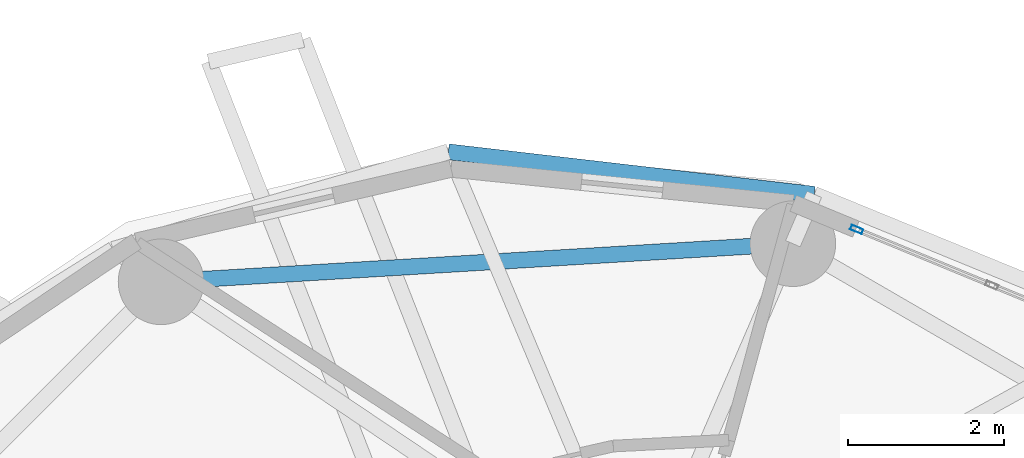
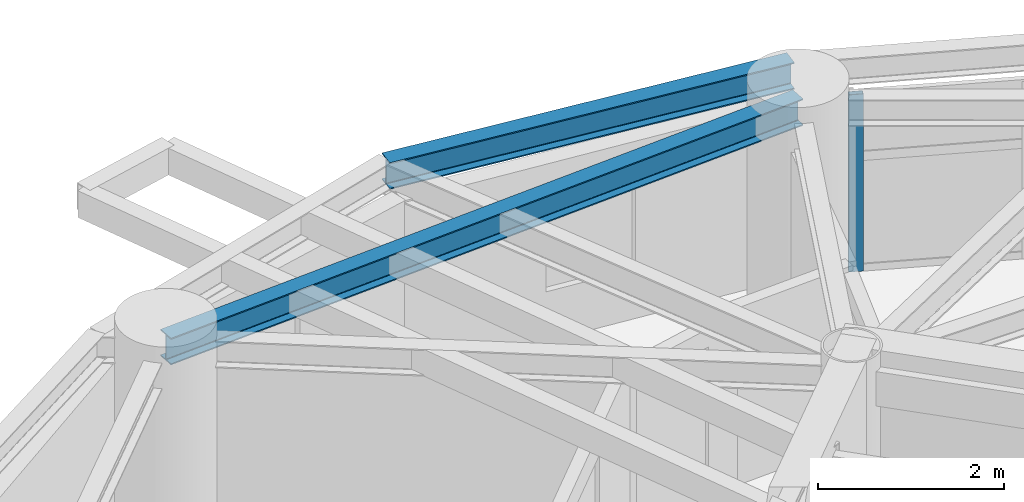
# One storey, part 5 of 16: 2 beams, 1 member, 1 element without a shape of its own.
"""IFC4 building model written with IfcOpenShell, lengths in metres."""

from ifc_helpers import new_model, si_unit, direction, frame, origin, origin_2d, place, context, subcontext, project, spatial, hollow_rectangle, i_section, extrude, material, layer, layer_set, material_profile, profile_set, type_object, element, aggregate, save


model = new_model("IFC4")

# Units and contexts
model_context = context("Model", 3, precision=1e-05, world=origin(), true_north=direction((0.0, 1.0)))
body_context = subcontext(model_context, "Body", "Model", "MODEL_VIEW")
ifc_project = project(units=[si_unit("LENGTHUNIT", "METRE"), si_unit("AREAUNIT", "SQUARE_METRE"), si_unit("VOLUMEUNIT", "CUBIC_METRE"), si_unit("PLANEANGLEUNIT", "RADIAN"), si_unit("MASSUNIT", "GRAM", prefix="KILO")], contexts=[model_context])

# Site, building, storey
site_placement = place(None, origin())
site = spatial("IfcSite", under=ifc_project, at=site_placement, CompositionType="ELEMENT")
building_placement = place(site_placement, origin())
building = spatial("IfcBuilding", under=site, at=building_placement, Name="Cununo Teusaquillo Station Towers", CompositionType="ELEMENT")
storey_placement = place(building_placement, frame((0.0, 0.0, 211.2099609375)))
storey = spatial("IfcBuildingStorey", under=building, at=storey_placement, Name="L67", CompositionType="ELEMENT", Elevation=211.2099609375)

# Beams
ifc_material_1 = material(Name="Steel ASTM A572 Grade 50", Category="steel")
ifc_material_profile_1 = material_profile(ifc_material_1, i_section(OverallWidth=0.2041015625, OverallDepth=0.35009765625, WebThickness=0.008544921875, FlangeThickness=0.01513671875, FilletRadius=0.011962890625, at=origin_2d()), Name="W14X48")
ifc_profile_set_1 = profile_set([ifc_material_profile_1], Name="Steel ASTM A572 Grade 50")
beam_type = type_object("IfcBeamType", Name="BM-RING-Z4", PredefinedType="SPANDREL", material=ifc_profile_set_1)
beam_1_placement = place(storey_placement, frame((58.291015625, 37.63525390625, 2.525146484375), z_axis=(-0.998190567048, -0.06012979176, 0.0), x_axis=(0.06012979176, -0.998190567048, 0.0)))
element("IfcBeam", 1, at=beam_1_placement, inside=storey, type_object=beam_type, Name="L67 Tower B Structural Column Ring Girder 02", PredefinedType="SPANDREL", context=body_context, shape_type="SweptSolid", body=[
    extrude(i_section(OverallWidth=0.2041015625, OverallDepth=0.35009765625, WebThickness=0.008544921875, FlangeThickness=0.01513671875, FilletRadius=0.011962890625, at=origin_2d()), origin(), (0.0, 0.0, 1.0), 8.132568359375),
])
beam_2_placement = place(storey_placement, frame((58.56591796875, 38.27001953125, 2.525146484375), z_axis=(-0.993313022334, 0.115452326356, 0.0), x_axis=(-0.115452326356, -0.993313022334, 0.0)))
element("IfcBeam", 2, at=beam_2_placement, inside=storey, type_object=beam_type, Name="L67 Tower B Spandrel Ring Beam 03", PredefinedType="SPANDREL", context=body_context, shape_type="SweptSolid", body=[
    extrude(i_section(OverallWidth=0.2041015625, OverallDepth=0.35009765625, WebThickness=0.008544921875, FlangeThickness=0.01513671875, FilletRadius=0.011962890625, at=origin_2d()), origin(), (0.0, 0.0, 1.0), 4.732666015625),
])

# Curtain wall, member
ifc_material_2 = material(Name="Ceramic-fritted dark low-E double glazing", Category="glass")
ifc_layer = layer(ifc_material_2, 0.179931640625)
ifc_layer_set = layer_set([ifc_layer], Name="Ceramic-fritted dark low-E double glazing")
curtain_wall_type = type_object("IfcCurtainWallType", Name="CW-SYS-07", PredefinedType="USERDEFINED", material=ifc_layer_set)
curtain_wall_placement = place(storey_placement, origin())
curtain_wall = element("IfcCurtainWall", 3, at=curtain_wall_placement, inside=storey, type_object=curtain_wall_type, Name="L67 Tower B Facade Curtain Wall C01", ObjectType="FRITTED GLAZING", PredefinedType="USERDEFINED")
ifc_material_3 = material(Name="Anodised dark bronze aluminium EN AW-6063-T6", Category="aluminium")
ifc_material_profile_2 = material_profile(ifc_material_3, hollow_rectangle(XDim=0.06494140625, YDim=0.159912109375, WallThickness=0.00390625, at=origin_2d()), Name="CW-MULL-65x160")
ifc_profile_set_2 = profile_set([ifc_material_profile_2], Name="Anodised dark bronze aluminium EN AW-6063-T6")
member_type = type_object("IfcMemberType", Name="CWM-160", PredefinedType="MULLION", material=ifc_profile_set_2)
member_placement = place(storey_placement, frame((59.111328125, 37.818359375, 0.0), z_axis=(0.0, 0.0, 1.0), x_axis=(0.381310513086, 0.924447019904, 0.0)))
member = element("IfcMember", 4, at=member_placement, type_object=member_type, Name="CW-07 mullion 1", PredefinedType="MULLION", context=body_context, shape_type="SweptSolid", body=[
    extrude(hollow_rectangle(XDim=0.06494140625, YDim=0.159912109375, WallThickness=0.00390625, at=origin_2d()), origin(), (0.0, 0.0, 1.0), 2.322021484375),
])
aggregate(curtain_wall, [member])

save(model, "model.ifc")
